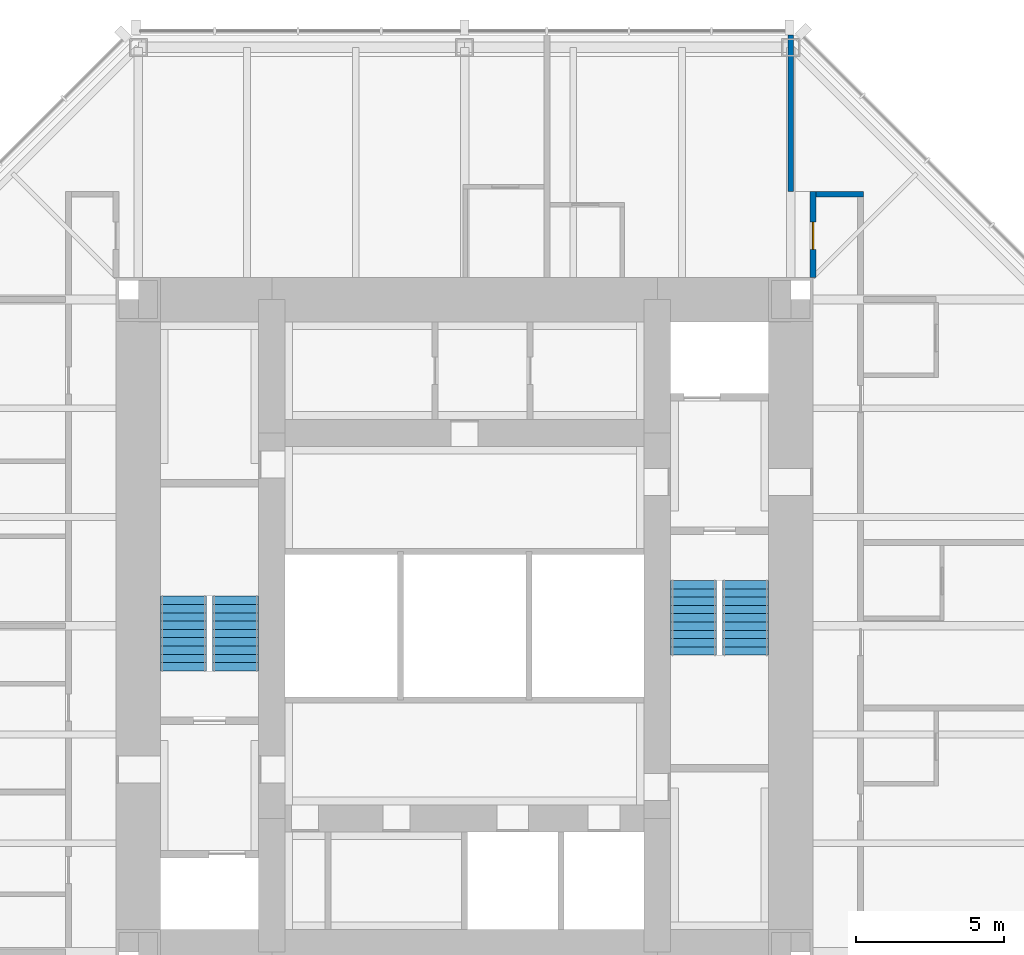
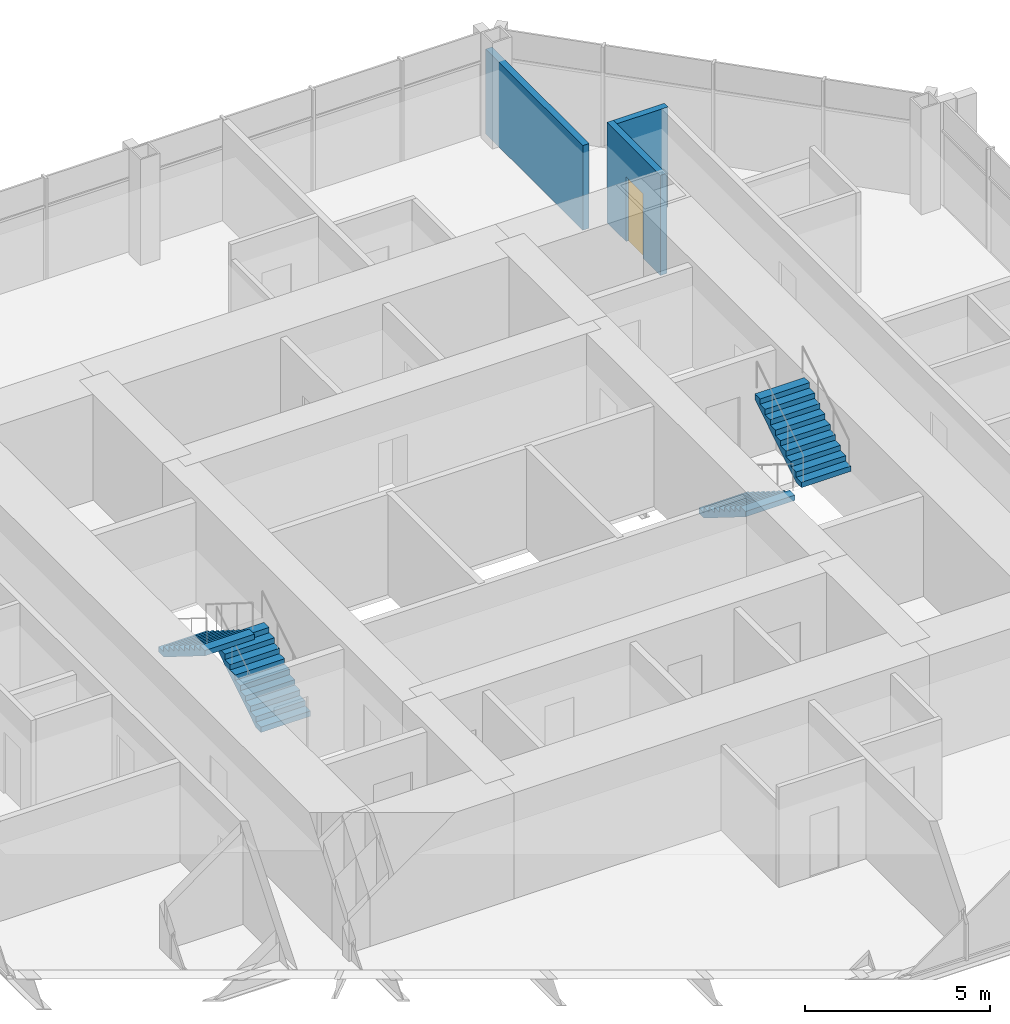
# One storey, part 10 of 11: 4 stair flights, 3 walls, 1 door, 1 opening, 2 elements without a shape of their own.
"""IFC4 building model written with IfcOpenShell, lengths in metres."""

from ifc_helpers import new_model, si_unit, direction, frame, frame_2d, origin, place, context, subcontext, project, spatial, polyline, rectangle, outline, extrude, material, layer, layer_set, type_object, element, fill, aggregate, save


model = new_model("IFC4")

# Units and contexts
model_context = context("Model", 3, precision=1e-05, world=origin(), true_north=direction((0.0, 1.0)))
body_context = subcontext(model_context, "Body", "Model", "MODEL_VIEW")
ifc_project = project(units=[si_unit("LENGTHUNIT", "METRE"), si_unit("AREAUNIT", "SQUARE_METRE"), si_unit("VOLUMEUNIT", "CUBIC_METRE"), si_unit("PLANEANGLEUNIT", "RADIAN"), si_unit("MASSUNIT", "GRAM", prefix="KILO")], contexts=[model_context])

# Site, building, storey
site_placement = place(None, origin())
site = spatial("IfcSite", under=ifc_project, at=site_placement, CompositionType="ELEMENT")
building_placement = place(site_placement, origin())
building = spatial("IfcBuilding", under=site, at=building_placement, Name="Trevanion Tower", CompositionType="ELEMENT")
storey_placement = place(building_placement, frame((0.0, 0.0, 243.199951171875)))
storey = spatial("IfcBuildingStorey", under=building, at=storey_placement, Name="L59", CompositionType="ELEMENT", Elevation=243.199951171875)

# Wall, opening, door
ifc_material_1 = material(Name="Concrete masonry, grouted", Category="masonry")
ifc_layer = layer(ifc_material_1, 0.199951171875)
ifc_layer_set = layer_set([ifc_layer], Name="PT2 partition 200 1 HR")
wall_type = type_object("IfcWallType", Name="PT2 partition 200 1 HR", PredefinedType="PARTITIONING", material=ifc_layer_set)
wall_1_placement = place(storey_placement, frame((11.75, 11.75, 0.0), z_axis=(0.0, 0.0, 1.0), x_axis=(0.0, 1.0, 0.0)))
wall_1 = element("IfcWall", 1, at=wall_1_placement, inside=storey, type_object=wall_type, Name="PT2 L59 HO1a", PredefinedType="PARTITIONING", context=body_context, shape_type="SweptSolid", body=[
    extrude(rectangle(XDim=2.89990234375, YDim=0.199951171875, at=frame_2d((1.449951171875, 0.0))), origin(), (0.0, 0.0, 1.0), 3.31005859375),
])
opening_placement = place(wall_1_placement, frame((0.9423828125, 0.0, 0.0)))
opening = element("IfcOpeningElement", 2, at=opening_placement, cuts=wall_1, Name="Opening 59-024", PredefinedType="OPENING", context=body_context, shape_type="SweptSolid", body=[
    extrude(rectangle(XDim=0.9150390625, YDim=2.134033203125, at=frame_2d((0.45751953125, 1.06689453125))), frame((0.0, 0.10986328125, 0.0), z_axis=(0.0, -1.0, 0.0), x_axis=(1.0, 0.0, 0.0)), (0.0, 0.0, 1.0), 0.219970703125),
])
ifc_material_2 = material(Name="Timber veneer, fire rated", Category="wood")
door_type = type_object("IfcDoorType", Name="D6 guest room entrance door", OperationType="SINGLE_SWING_LEFT", PredefinedType="DOOR", material=ifc_material_2)
door_placement = place(opening_placement, origin())
door = element("IfcDoor", 3, at=door_placement, inside=storey, type_object=door_type, Name="Door 59-024", OperationType="SINGLE_SWING_LEFT", OverallHeight=2.134033203125, OverallWidth=0.9150390625, PredefinedType="DOOR", context=body_context, shape_type="SweptSolid", body=[
    extrude(rectangle(XDim=0.9150390625, YDim=2.134033203125, at=frame_2d((0.45751953125, 1.06689453125))), frame((0.0, 0.02490234375, 0.0), z_axis=(0.0, -1.0, 0.0), x_axis=(1.0, 0.0, 0.0)), (0.0, 0.0, 1.0), 0.050048828125),
])
fill(opening, door)

# Walls
wall_2_placement = place(storey_placement, frame((13.449951171875, 14.550048828125, 0.0), z_axis=(0.0, 0.0, 1.0), x_axis=(-1.0, 0.0, 0.0)))
element("IfcWall", 4, at=wall_2_placement, inside=storey, type_object=wall_type, Name="PT2 L59 HC1ca", PredefinedType="PARTITIONING", context=body_context, shape_type="SweptSolid", body=[
    extrude(rectangle(XDim=1.599853515625, YDim=0.199951171875, at=frame_2d((0.7998046875, 0.0))), origin(), (0.0, 0.0, 1.0), 3.31005859375),
])
wall_3_placement = place(storey_placement, frame((11.0, 14.64990234375, 0.0), z_axis=(0.0, 0.0, 1.0), x_axis=(0.0, 1.0, 0.0)))
element("IfcWall", 5, at=wall_3_placement, inside=storey, type_object=wall_type, Name="PT2 L59 HD10", PredefinedType="PARTITIONING", context=body_context, shape_type="SweptSolid", body=[
    extrude(rectangle(XDim=5.26513671875, YDim=0.199951171875, at=frame_2d((2.632568359375, 0.0))), origin(), (0.0, 0.0, 1.0), 2.802001953125),
])

# Stair, stair flights
ifc_material_3 = material(Name="Concrete 5,000 psi on steel stringers", Category="concrete")
stair_type = type_object("IfcStairType", Name="ST stair", PredefinedType="HALF_TURN_STAIR", material=ifc_material_3)
stair_1_placement = place(storey_placement, origin())
stair_1 = element("IfcStair", 6, at=stair_1_placement, inside=storey, type_object=stair_type, Name="ST1 L59", PredefinedType="HALF_TURN_STAIR")
ifc_material_4 = material(Name="Concrete 5,000 psi in steel pan", Category="concrete")
stair_flight_type = type_object("IfcStairFlightType", Name="STF stair flight", PredefinedType="STRAIGHT", material=ifc_material_4)
stair_flight_1_placement = place(storey_placement, frame((7.72509765625, 1.52490234375, 0.0), z_axis=(0.0, 0.0, 1.0), x_axis=(0.0, -1.0, 0.0)))
stair_flight_1 = element("IfcStairFlight", 7, at=stair_flight_1_placement, type_object=stair_flight_type, Name="ST1 flight 1", NumberOfRisers=10, NumberOfTreads=9, PredefinedType="STRAIGHT", RiserHeight=0.175, TreadLength=0.28, context=body_context, shape_type="SweptSolid", body=[
    extrude(outline(polyline([(0.0, 0.0), (0.0, 0.175048828125), (0.280029296875, 0.175048828125), (0.280029296875, 0.35009765625), (0.56005859375, 0.35009765625), (0.56005859375, 0.52490234375), (0.840087890625, 0.52490234375), (0.840087890625, 0.699951171875), (1.1201171875, 0.699951171875), (1.1201171875, 0.875), (1.39990234375, 0.875), (1.39990234375, 1.050048828125), (1.679931640625, 1.050048828125), (1.679931640625, 1.22509765625), (1.9599609375, 1.22509765625), (1.9599609375, 1.39990234375), (2.239990234375, 1.39990234375), (2.239990234375, 1.574951171875), (2.52001953125, 1.574951171875), (2.52001953125, 1.75), (2.52001953125, 1.398193359375), (0.28271484375, 0.0), (0.0, 0.0)])), frame((0.0, 0.77490234375, 0.0), z_axis=(0.0, -1.0, 0.0), x_axis=(1.0, 0.0, 0.0)), (0.0, 0.0, 1.0), 1.550048828125),
])
stair_flight_2_placement = place(storey_placement, frame((9.47509765625, -0.9951171875, 1.75), z_axis=(0.0, 0.0, 1.0), x_axis=(0.0, 1.0, 0.0)))
stair_flight_2 = element("IfcStairFlight", 8, at=stair_flight_2_placement, type_object=stair_flight_type, Name="ST1 flight 2", NumberOfRisers=10, NumberOfTreads=9, PredefinedType="STRAIGHT", RiserHeight=0.175, TreadLength=0.28, context=body_context, shape_type="SweptSolid", body=[
    extrude(outline(polyline([(0.0, 0.0), (0.0, 0.175048828125), (0.280029296875, 0.175048828125), (0.280029296875, 0.35009765625), (0.56005859375, 0.35009765625), (0.56005859375, 0.52490234375), (0.840087890625, 0.52490234375), (0.840087890625, 0.699951171875), (1.1201171875, 0.699951171875), (1.1201171875, 0.875), (1.39990234375, 0.875), (1.39990234375, 1.050048828125), (1.679931640625, 1.050048828125), (1.679931640625, 1.22509765625), (1.9599609375, 1.22509765625), (1.9599609375, 1.39990234375), (2.239990234375, 1.39990234375), (2.239990234375, 1.574951171875), (2.52001953125, 1.574951171875), (2.52001953125, 1.75), (2.52001953125, 1.398193359375), (0.28271484375, 0.0), (0.0, 0.0)])), frame((0.0, 0.77490234375, 0.0), z_axis=(0.0, -1.0, 0.0), x_axis=(1.0, 0.0, 0.0)), (0.0, 0.0, 1.0), 1.550048828125),
])
aggregate(stair_1, [stair_flight_1, stair_flight_2])

stair_2_placement = place(storey_placement, origin())
stair_2 = element("IfcStair", 9, at=stair_2_placement, inside=storey, type_object=stair_type, Name="ST2 L59", PredefinedType="HALF_TURN_STAIR")
stair_flight_3_placement = place(storey_placement, frame((-7.72509765625, -1.52490234375, 0.0), z_axis=(0.0, 0.0, 1.0), x_axis=(0.0, 1.0, 0.0)))
stair_flight_3 = element("IfcStairFlight", 10, at=stair_flight_3_placement, type_object=stair_flight_type, Name="ST2 flight 1", NumberOfRisers=10, NumberOfTreads=9, PredefinedType="STRAIGHT", RiserHeight=0.175, TreadLength=0.28, context=body_context, shape_type="SweptSolid", body=[
    extrude(outline(polyline([(0.0, 0.0), (0.0, 0.175048828125), (0.280029296875, 0.175048828125), (0.280029296875, 0.35009765625), (0.56005859375, 0.35009765625), (0.56005859375, 0.52490234375), (0.840087890625, 0.52490234375), (0.840087890625, 0.699951171875), (1.1201171875, 0.699951171875), (1.1201171875, 0.875), (1.39990234375, 0.875), (1.39990234375, 1.050048828125), (1.679931640625, 1.050048828125), (1.679931640625, 1.22509765625), (1.9599609375, 1.22509765625), (1.9599609375, 1.39990234375), (2.239990234375, 1.39990234375), (2.239990234375, 1.574951171875), (2.52001953125, 1.574951171875), (2.52001953125, 1.75), (2.52001953125, 1.398193359375), (0.28271484375, 0.0), (0.0, 0.0)])), frame((0.0, 0.77490234375, 0.0), z_axis=(0.0, -1.0, 0.0), x_axis=(1.0, 0.0, 0.0)), (0.0, 0.0, 1.0), 1.550048828125),
])
stair_flight_4_placement = place(storey_placement, frame((-9.47509765625, 0.9951171875, 1.75), z_axis=(0.0, 0.0, 1.0), x_axis=(0.0, -1.0, 0.0)))
stair_flight_4 = element("IfcStairFlight", 11, at=stair_flight_4_placement, type_object=stair_flight_type, Name="ST2 flight 2", NumberOfRisers=10, NumberOfTreads=9, PredefinedType="STRAIGHT", RiserHeight=0.175, TreadLength=0.28, context=body_context, shape_type="SweptSolid", body=[
    extrude(outline(polyline([(0.0, 0.0), (0.0, 0.175048828125), (0.280029296875, 0.175048828125), (0.280029296875, 0.35009765625), (0.56005859375, 0.35009765625), (0.56005859375, 0.52490234375), (0.840087890625, 0.52490234375), (0.840087890625, 0.699951171875), (1.1201171875, 0.699951171875), (1.1201171875, 0.875), (1.39990234375, 0.875), (1.39990234375, 1.050048828125), (1.679931640625, 1.050048828125), (1.679931640625, 1.22509765625), (1.9599609375, 1.22509765625), (1.9599609375, 1.39990234375), (2.239990234375, 1.39990234375), (2.239990234375, 1.574951171875), (2.52001953125, 1.574951171875), (2.52001953125, 1.75), (2.52001953125, 1.398193359375), (0.28271484375, 0.0), (0.0, 0.0)])), frame((0.0, 0.77490234375, 0.0), z_axis=(0.0, -1.0, 0.0), x_axis=(1.0, 0.0, 0.0)), (0.0, 0.0, 1.0), 1.550048828125),
])
aggregate(stair_2, [stair_flight_3, stair_flight_4])

save(model, "model.ifc")
